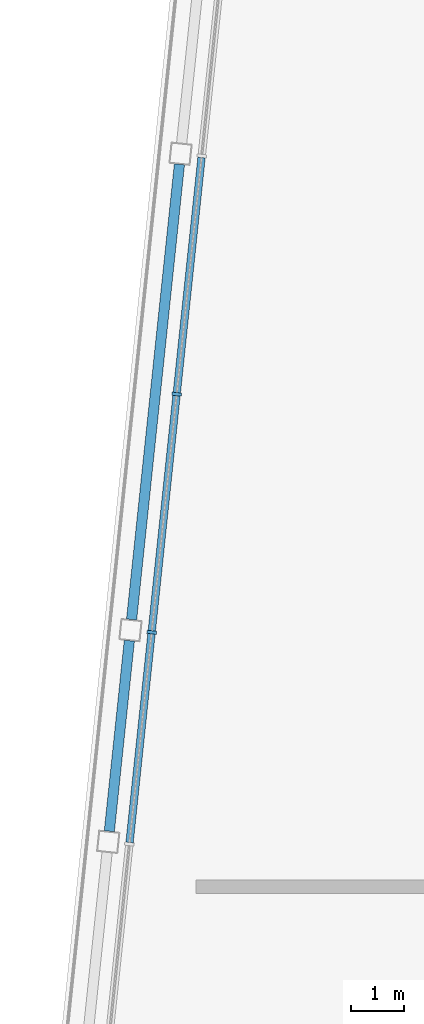
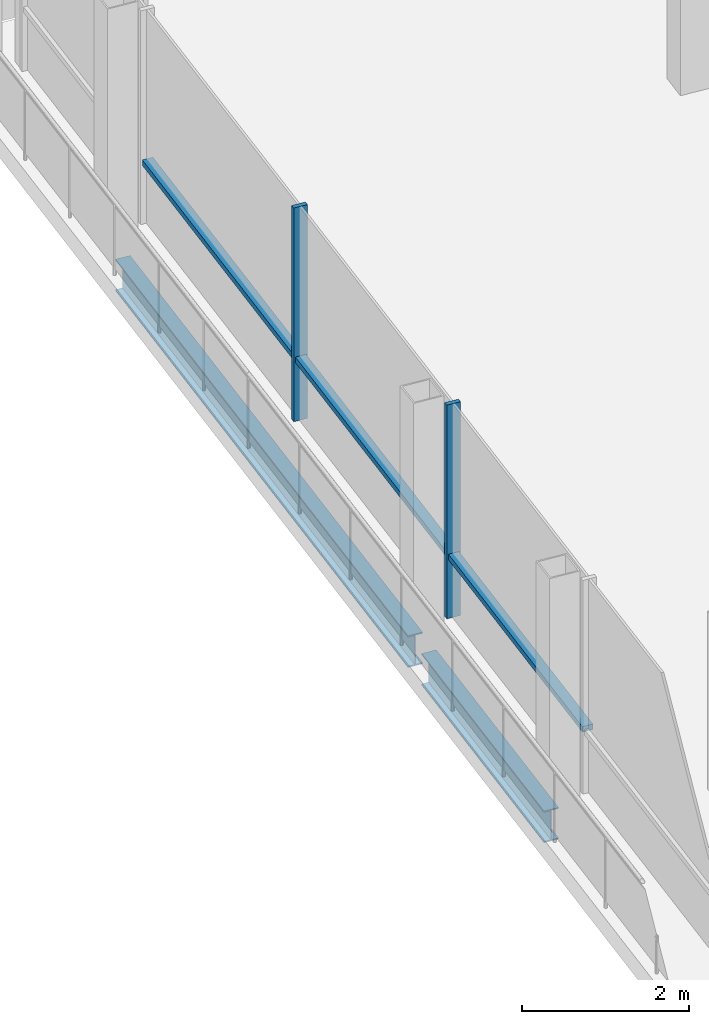
# One storey, part 4 of 15: 5 members, 2 beams, 1 element without a shape of its own.
"""IFC4 building model written with IfcOpenShell, lengths in metres."""

import ifcopenshell
import ifcopenshell.guid

model = None  # the IFC model being written
_history = None  # IfcOwnerHistory: only IFC2X3 demands one
_inside = {}  # id of a spatial element -> (the spatial element, [elements in it])
_under = {}  # id of a project, library or spatial element -> (it, [spatial elements below it])
_declared = {}  # id of a project -> (the project, [libraries it declares])
_typed = {}  # id of a type object -> (the type object, [elements of that type])
_made_of = {}  # id of a material, layer set ... -> (it, [elements and type objects made of it])


def new_model(schema):
    """Start an empty IFC model of exactly this schema.

    Asked for "IFC4X3", IfcOpenShell would pick the latest addendum, in which some entities
    have other attributes; the version numbers below select the first issue.
    IFC2X3 requires an IfcOwnerHistory on every rooted entity: one is made here for all.
    """
    global model, _history
    if schema == "IFC4X3":
        model = ifcopenshell.file(schema_version=(4, 3, 0, 0))
    else:
        model = ifcopenshell.file(schema=schema)
    _inside.clear()
    _under.clear()
    _declared.clear()
    _typed.clear()
    _made_of.clear()
    _history = None
    if model.schema == "IFC2X3":
        org = make("IfcOrganization", Name="unknown")
        user = make(
            "IfcPersonAndOrganization",
            ThePerson=make("IfcPerson", FamilyName="unknown"),
            TheOrganization=org,
        )
        app = make(
            "IfcApplication",
            ApplicationDeveloper=org,
            Version="unknown",
            ApplicationFullName="unknown",
            ApplicationIdentifier="unknown",
        )
        _history = make(
            "IfcOwnerHistory",
            OwningUser=user,
            OwningApplication=app,
            ChangeAction="ADDED",
            CreationDate=0,
        )
    return model


def make(cls, **values):
    """One entity of the class cls with the attributes given. An attribute that is None is left unset."""
    return model.create_entity(
        cls, **{name: value for name, value in values.items() if value is not None}
    )


def rooted(cls, **values):
    """An entity with a GlobalId (a new one), such as an element, a storey or a relation."""
    return make(cls, GlobalId=ifcopenshell.guid.new(), OwnerHistory=_history, **values)


def si_unit(unit_type, name, prefix=None):
    """IfcSIUnit, for example si_unit("LENGTHUNIT", "METRE", prefix="MILLI")."""
    return make("IfcSIUnit", UnitType=unit_type, Prefix=prefix, Name=name)


def assignment(units):
    """IfcUnitAssignment: the units of a project."""
    return None if units is None else make("IfcUnitAssignment", Units=units)


def point(xyz):
    """IfcCartesianPoint."""
    return None if xyz is None else make("IfcCartesianPoint", Coordinates=xyz)


def direction(xyz):
    """IfcDirection."""
    return None if xyz is None else make("IfcDirection", DirectionRatios=xyz)


def frame(location, z_axis=None, x_axis=None):
    """IfcAxis2Placement3D, a coordinate frame: its origin and axes. An axis left out is left unset."""
    return make(
        "IfcAxis2Placement3D",
        Location=point(location),
        Axis=direction(z_axis),
        RefDirection=direction(x_axis),
    )


def frame_2d(location, x_axis=None):
    """IfcAxis2Placement2D, a coordinate frame in the plane: its origin and x axis."""
    return make(
        "IfcAxis2Placement2D", Location=point(location), RefDirection=direction(x_axis)
    )


def origin():
    """The frame at (0, 0, 0) with its axes left unset."""
    return frame((0.0, 0.0, 0.0))


def origin_2d():
    """The frame at (0, 0) in the plane with its x axis left unset."""
    return frame_2d((0.0, 0.0))


def place(relative_to, where):
    """IfcLocalPlacement: puts the frame where relative to a parent placement (None: the world)."""
    return make(
        "IfcLocalPlacement", PlacementRelTo=relative_to, RelativePlacement=where
    )


def context(
    kind, dimensions, precision=None, world=None, true_north=None, identifier=None
):
    """IfcGeometricRepresentationContext, for example the 3D "Model" context."""
    return make(
        "IfcGeometricRepresentationContext",
        ContextIdentifier=identifier,
        ContextType=kind,
        CoordinateSpaceDimension=dimensions,
        Precision=precision,
        WorldCoordinateSystem=world,
        TrueNorth=true_north,
    )


def subcontext(parent, identifier, kind, view, scale=None):
    """IfcGeometricRepresentationSubContext, for example "Body" below "Model"."""
    return make(
        "IfcGeometricRepresentationSubContext",
        ContextIdentifier=identifier,
        ContextType=kind,
        ParentContext=parent,
        TargetScale=scale,
        TargetView=view,
    )


def project(units=None, contexts=None):
    """IfcProject with its units and contexts."""
    return rooted(
        "IfcProject",
        Name="project",
        RepresentationContexts=contexts,
        UnitsInContext=assignment(units),
    )


def spatial(cls, under=None, at=None, **own):
    """A site, building, storey or space (cls), placed at a placement, below another one or the project."""
    s = rooted(cls, ObjectPlacement=at, **own)
    if under is not None:
        _under.setdefault(under.id(), (under, []))[1].append(s)
    return s


def profile(cls, at=None, kind="AREA", **sizes):
    """A parametric profile (cls). Its sizes go by their IFC names, for example OverallWidth=200.0."""
    return make(cls, ProfileType=kind, Position=at, **sizes)


def rectangle(**sizes):
    """IfcRectangleProfileDef."""
    return profile("IfcRectangleProfileDef", **sizes)


def i_section(**sizes):
    """IfcIShapeProfileDef."""
    return profile("IfcIShapeProfileDef", **sizes)


def extrude(swept, where, along, depth):
    """IfcExtrudedAreaSolid: the profile swept, set in the frame where, extruded along a direction by depth."""
    return make(
        "IfcExtrudedAreaSolid",
        SweptArea=swept,
        Position=where,
        ExtrudedDirection=direction(along),
        Depth=depth,
    )


def shape(context_of_items, identifier, shape_type, items):
    """IfcShapeRepresentation: the items that make up one representation, for example the "Body"."""
    return make(
        "IfcShapeRepresentation",
        ContextOfItems=context_of_items,
        RepresentationIdentifier=identifier,
        RepresentationType=shape_type,
        Items=items,
    )


def material(Name=None, Category=None):
    """IfcMaterial."""
    return make("IfcMaterial", Name=Name, Category=Category)


def material_profile(
    of_material, cross_section, Name=None, Category=None, Priority=None
):
    """IfcMaterialProfile: a cross section and its material."""
    return make(
        "IfcMaterialProfile",
        Name=Name,
        Material=of_material,
        Profile=cross_section,
        Priority=Priority,
        Category=Category,
    )


def profile_set(profiles, Name=None, composite=None):
    """IfcMaterialProfileSet."""
    return make(
        "IfcMaterialProfileSet",
        Name=Name,
        MaterialProfiles=profiles,
        CompositeProfile=composite,
    )


def made_of(thing, what):
    """Note that an element or type object is made of a material, layer set ...; save() writes the relation."""
    if what is not None:
        _made_of.setdefault(what.id(), (what, []))[1].append(thing)
    return thing


def type_object(cls, material=None, **own):
    """A type object (cls), such as IfcWallType, which elements share."""
    return made_of(rooted(cls, **own), material)


def element(
    cls,
    number,
    at=None,
    inside=None,
    cuts=None,
    type_object=None,
    material=None,
    context=None,
    identifier="Body",
    shape_type=None,
    held_by="IfcProductDefinitionShape",
    body=None,
    shapes=None,
    **own,
):
    """One element of the class cls, such as IfcWall. Its Tag is "e" and its number.

    at: its placement. inside: the storey or other place that contains it. cuts: it is an
    opening in that element (IfcRelVoidsElement). A single representation is given by context,
    identifier, shape_type and body (its items); several are given by shapes. held_by: the class
    of the entity that holds the representations. save() writes the other relations.
    """
    e = rooted(cls, Tag="e%d" % number, ObjectPlacement=at, **own)
    if body is not None:
        shapes = [shape(context, identifier, shape_type, body)]
    if shapes is not None:
        e.Representation = make(held_by, Representations=shapes)
    if inside is not None:
        _inside.setdefault(inside.id(), (inside, []))[1].append(e)
    if cuts is not None:
        rooted(
            "IfcRelVoidsElement", RelatingBuildingElement=cuts, RelatedOpeningElement=e
        )
    if type_object is not None:
        _typed.setdefault(type_object.id(), (type_object, []))[1].append(e)
    return made_of(e, material)


def aggregate(whole, parts):
    """IfcRelAggregates: a whole, such as a stair, and the parts it consists of."""
    return rooted("IfcRelAggregates", RelatingObject=whole, RelatedObjects=parts)


def save(model, path):
    """Write the relations noted so far, then the file.

    IfcRelAggregates (storeys below a building ...), IfcRelContainedInSpatialStructure (elements
    in a storey), IfcRelDefinesByType, IfcRelAssociatesMaterial and IfcRelDeclares: one each for
    every whole, place, type object, material and project.
    """
    for whole, parts in _under.values():
        aggregate(whole, parts)
    for where, things in _inside.values():
        rooted(
            "IfcRelContainedInSpatialStructure",
            RelatedElements=things,
            RelatingStructure=where,
        )
    for kind, things in _typed.values():
        rooted("IfcRelDefinesByType", RelatedObjects=things, RelatingType=kind)
    for what, things in _made_of.values():
        rooted("IfcRelAssociatesMaterial", RelatedObjects=things, RelatingMaterial=what)
    for by, libraries in _declared.values():
        rooted("IfcRelDeclares", RelatingContext=by, RelatedDefinitions=libraries)
    model.write(path)


model = new_model("IFC4")

# Units and contexts
model_context = context("Model", 3, precision=1e-05, world=origin(), true_north=direction((0.0, 1.0)))
body_context = subcontext(model_context, "Body", "Model", "MODEL_VIEW")
ifc_project = project(units=[si_unit("LENGTHUNIT", "METRE"), si_unit("AREAUNIT", "SQUARE_METRE"), si_unit("VOLUMEUNIT", "CUBIC_METRE"), si_unit("PLANEANGLEUNIT", "RADIAN"), si_unit("MASSUNIT", "GRAM", prefix="KILO")], contexts=[model_context])

# Site, building, storey
site_placement = place(None, origin())
site = spatial("IfcSite", under=ifc_project, at=site_placement, CompositionType="ELEMENT")
building_placement = place(site_placement, origin())
building = spatial("IfcBuilding", under=site, at=building_placement, Name="Vidyagriha Tower", CompositionType="ELEMENT")
storey_placement = place(building_placement, frame((0.0, 0.0, 294.89990234375)))
storey = spatial("IfcBuildingStorey", under=building, at=storey_placement, Name="L76", CompositionType="ELEMENT", Elevation=294.89990234375)

# Beams
ifc_material_1 = material(Name="Steel ASTM A992 Grade 50", Category="steel")
ifc_material_profile_1 = material_profile(ifc_material_1, i_section(OverallWidth=0.19189453125, OverallDepth=0.46240234375, WebThickness=0.010498046875, FlangeThickness=0.017578125, at=origin_2d()), Name="W18X60")
ifc_profile_set_1 = profile_set([ifc_material_profile_1], Name="Steel ASTM A992 Grade 50")
beam_type = type_object("IfcBeamType", Name="Edge beam W18X60", PredefinedType="SPANDREL", material=ifc_profile_set_1)
beam_1_placement = place(storey_placement, frame((-23.628173828125, 2.444091796875, -0.510986328125), z_axis=(0.104578872801, 0.994516595821, 0.0), x_axis=(-0.994516595821, 0.104578872801, 0.0)))
element("IfcBeam", 1, at=beam_1_placement, inside=storey, type_object=beam_type, Name="st-beam-L76-W10", PredefinedType="SPANDREL", context=body_context, shape_type="SweptSolid", body=[
    extrude(i_section(OverallWidth=0.19189453125, OverallDepth=0.46240234375, WebThickness=0.010498046875, FlangeThickness=0.017578125, at=origin_2d()), origin(), (0.0, 0.0, 1.0), 3.599853515625),
])
beam_2_placement = place(storey_placement, frame((-23.2099609375, 6.422119140625, -0.510986328125), z_axis=(0.104528138401, 0.994521929513, 0.0), x_axis=(-0.994521929513, 0.104528138401, 0.0)))
element("IfcBeam", 2, at=beam_2_placement, inside=storey, type_object=beam_type, Name="st-beam-L76-W11", PredefinedType="SPANDREL", context=body_context, shape_type="SweptSolid", body=[
    extrude(i_section(OverallWidth=0.19189453125, OverallDepth=0.46240234375, WebThickness=0.010498046875, FlangeThickness=0.017578125, at=origin_2d()), origin(), (0.0, 0.0, 1.0), 8.599853515625),
])

# Curtain wall, members
ifc_material_2 = material(Name="Aluminium and glass curtain wall", Category="aluminium")
curtain_wall_type = type_object("IfcCurtainWallType", Name="Lantern glazing wall", PredefinedType="USERDEFINED", material=ifc_material_2)
curtain_wall_placement = place(storey_placement, origin())
curtain_wall = element("IfcCurtainWall", 3, at=curtain_wall_placement, inside=storey, type_object=curtain_wall_type, Name="CW4 lantern glazing", ObjectType="STICK GLAZING", PredefinedType="USERDEFINED")
ifc_material_3 = material(Name="Aluminium black anodised", Category="aluminium")
ifc_material_profile_2 = material_profile(ifc_material_3, rectangle(XDim=0.179931640625, YDim=0.06005859375, at=origin_2d()), Name="Mullion 60x180 black aluminium")
ifc_profile_set_2 = profile_set([ifc_material_profile_2], Name="Aluminium black anodised")
member_type_1 = type_object("IfcMemberType", Name="Mullion 60x180 black aluminium", PredefinedType="MULLION", material=ifc_profile_set_2)
member_1_placement = place(storey_placement, frame((-22.36279296875, 10.656494140625, 0.0), z_axis=(0.0, 0.0, 1.0), x_axis=(0.994522018715, -0.104527289697, 0.0)))
member_1 = element("IfcMember", 4, at=member_1_placement, type_object=member_type_1, Name="CW4 mullion 3", PredefinedType="MULLION", context=body_context, shape_type="SweptSolid", body=[
    extrude(rectangle(XDim=0.179931640625, YDim=0.06005859375, at=origin_2d()), origin(), (0.0, 0.0, 1.0), 3.1201171875),
])
member_2_placement = place(storey_placement, frame((-22.8330078125, 6.181396484375, 0.0), z_axis=(0.0, 0.0, 1.0), x_axis=(0.994522018715, -0.104527289697, 0.0)))
member_2 = element("IfcMember", 5, at=member_2_placement, type_object=member_type_1, Name="CW4 mullion 4", PredefinedType="MULLION", context=body_context, shape_type="SweptSolid", body=[
    extrude(rectangle(XDim=0.179931640625, YDim=0.06005859375, at=origin_2d()), origin(), (0.0, 0.0, 1.0), 3.1201171875),
])
ifc_material_4 = material(Name="Aluminium black anodised", Category="aluminium")
ifc_material_profile_3 = material_profile(ifc_material_4, rectangle(XDim=0.139892578125, YDim=0.080078125, at=origin_2d()), Name="Transom 80x140 black aluminium")
ifc_profile_set_3 = profile_set([ifc_material_profile_3], Name="Aluminium black anodised")
member_type_2 = type_object("IfcMemberType", Name="Transom 80x140 black aluminium", PredefinedType="USERDEFINED", material=ifc_profile_set_3)
member_3_placement = place(storey_placement, frame((-21.8955078125, 15.10205078125, 0.900146484375), z_axis=(-0.104533075393, -0.994521410604, 0.0), x_axis=(0.994521410604, -0.104533075393, 0.0)))
member_3 = element("IfcMember", 6, at=member_3_placement, type_object=member_type_2, Name="CW4 transom 2.1", ObjectType="TRANSOM", PredefinedType="USERDEFINED", context=body_context, shape_type="SweptSolid", body=[
    extrude(rectangle(XDim=0.139892578125, YDim=0.080078125, at=origin_2d()), origin(), (0.0, 0.0, 1.0), 4.43994140625),
])
member_4_placement = place(storey_placement, frame((-22.365966796875, 10.626708984375, 0.900146484375), z_axis=(-0.104478687325, -0.994527125771, 0.0), x_axis=(0.994527125771, -0.104478687325, 0.0)))
member_4 = element("IfcMember", 7, at=member_4_placement, type_object=member_type_2, Name="CW4 transom 3.1", ObjectType="TRANSOM", PredefinedType="USERDEFINED", context=body_context, shape_type="SweptSolid", body=[
    extrude(rectangle(XDim=0.139892578125, YDim=0.080078125, at=origin_2d()), origin(), (0.0, 0.0, 1.0), 4.43994140625),
])
member_5_placement = place(storey_placement, frame((-22.836181640625, 6.1513671875, 0.900146484375), z_axis=(-0.104539626027, -0.994520722052, 0.0), x_axis=(0.994520722052, -0.104539626027, 0.0)))
member_5 = element("IfcMember", 8, at=member_5_placement, type_object=member_type_2, Name="CW4 transom 4.1", ObjectType="TRANSOM", PredefinedType="USERDEFINED", context=body_context, shape_type="SweptSolid", body=[
    extrude(rectangle(XDim=0.139892578125, YDim=0.080078125, at=origin_2d()), origin(), (0.0, 0.0, 1.0), 3.939697265625),
])
aggregate(curtain_wall, [member_1, member_2, member_3, member_4, member_5])

save(model, "model.ifc")
